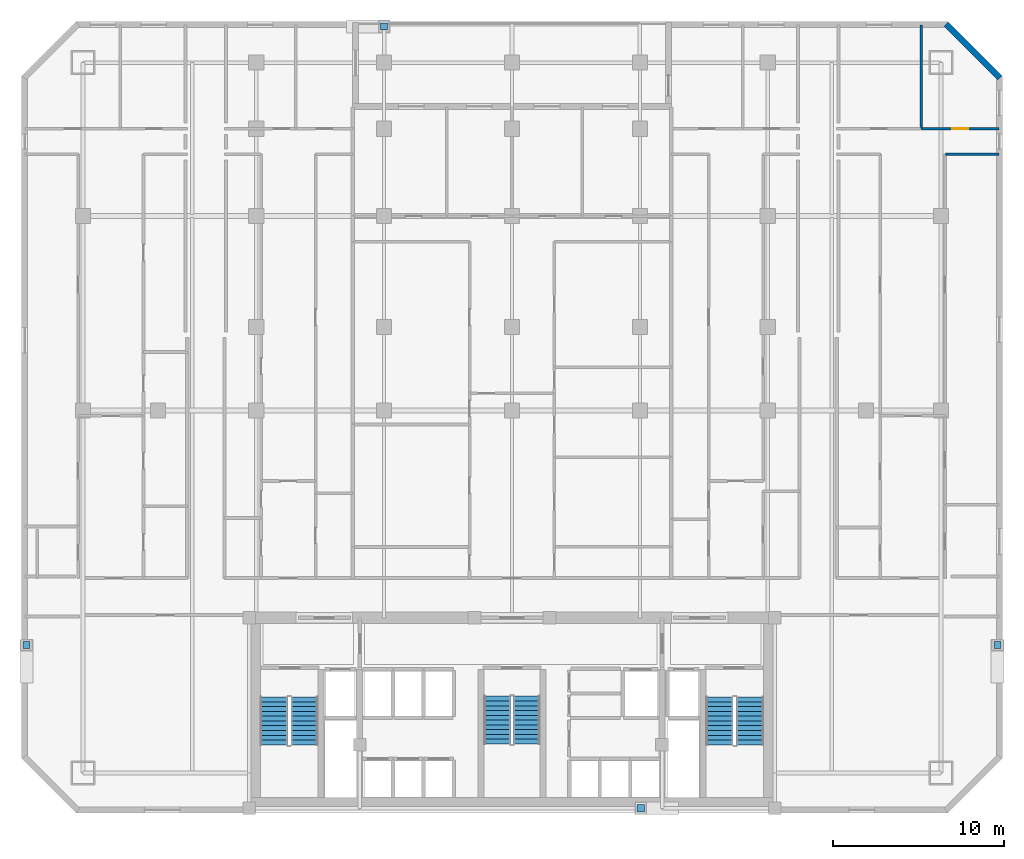
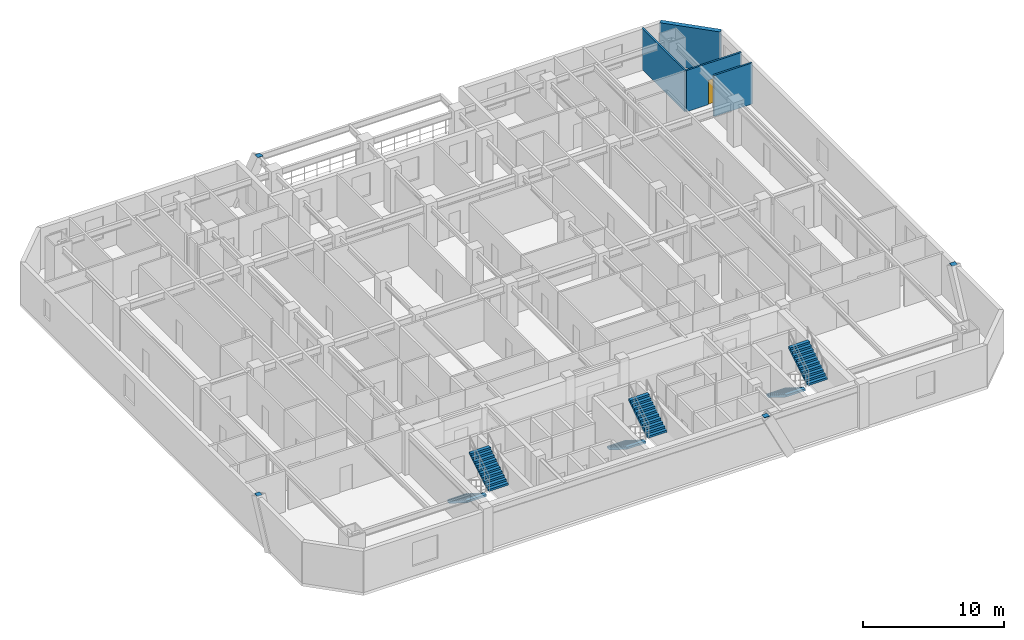
# One storey, part 9 of 10: 6 stair flights, 4 discrete accessories, 4 walls, 1 door, 1 opening, 3 elements without a shape of their own.
"""IFC4 building model written with IfcOpenShell, lengths in metres."""

import ifcopenshell
import ifcopenshell.guid

model = None  # the IFC model being written
_history = None  # IfcOwnerHistory: only IFC2X3 demands one
_inside = {}  # id of a spatial element -> (the spatial element, [elements in it])
_under = {}  # id of a project, library or spatial element -> (it, [spatial elements below it])
_declared = {}  # id of a project -> (the project, [libraries it declares])
_typed = {}  # id of a type object -> (the type object, [elements of that type])
_made_of = {}  # id of a material, layer set ... -> (it, [elements and type objects made of it])


def new_model(schema):
    """Start an empty IFC model of exactly this schema.

    Asked for "IFC4X3", IfcOpenShell would pick the latest addendum, in which some entities
    have other attributes; the version numbers below select the first issue.
    IFC2X3 requires an IfcOwnerHistory on every rooted entity: one is made here for all.
    """
    global model, _history
    if schema == "IFC4X3":
        model = ifcopenshell.file(schema_version=(4, 3, 0, 0))
    else:
        model = ifcopenshell.file(schema=schema)
    _inside.clear()
    _under.clear()
    _declared.clear()
    _typed.clear()
    _made_of.clear()
    _history = None
    if model.schema == "IFC2X3":
        org = make("IfcOrganization", Name="unknown")
        user = make(
            "IfcPersonAndOrganization",
            ThePerson=make("IfcPerson", FamilyName="unknown"),
            TheOrganization=org,
        )
        app = make(
            "IfcApplication",
            ApplicationDeveloper=org,
            Version="unknown",
            ApplicationFullName="unknown",
            ApplicationIdentifier="unknown",
        )
        _history = make(
            "IfcOwnerHistory",
            OwningUser=user,
            OwningApplication=app,
            ChangeAction="ADDED",
            CreationDate=0,
        )
    return model


def make(cls, **values):
    """One entity of the class cls with the attributes given. An attribute that is None is left unset."""
    return model.create_entity(
        cls, **{name: value for name, value in values.items() if value is not None}
    )


def rooted(cls, **values):
    """An entity with a GlobalId (a new one), such as an element, a storey or a relation."""
    return make(cls, GlobalId=ifcopenshell.guid.new(), OwnerHistory=_history, **values)


def si_unit(unit_type, name, prefix=None):
    """IfcSIUnit, for example si_unit("LENGTHUNIT", "METRE", prefix="MILLI")."""
    return make("IfcSIUnit", UnitType=unit_type, Prefix=prefix, Name=name)


def assignment(units):
    """IfcUnitAssignment: the units of a project."""
    return None if units is None else make("IfcUnitAssignment", Units=units)


def point(xyz):
    """IfcCartesianPoint."""
    return None if xyz is None else make("IfcCartesianPoint", Coordinates=xyz)


def direction(xyz):
    """IfcDirection."""
    return None if xyz is None else make("IfcDirection", DirectionRatios=xyz)


def frame(location, z_axis=None, x_axis=None):
    """IfcAxis2Placement3D, a coordinate frame: its origin and axes. An axis left out is left unset."""
    return make(
        "IfcAxis2Placement3D",
        Location=point(location),
        Axis=direction(z_axis),
        RefDirection=direction(x_axis),
    )


def frame_2d(location, x_axis=None):
    """IfcAxis2Placement2D, a coordinate frame in the plane: its origin and x axis."""
    return make(
        "IfcAxis2Placement2D", Location=point(location), RefDirection=direction(x_axis)
    )


def origin():
    """The frame at (0, 0, 0) with its axes left unset."""
    return frame((0.0, 0.0, 0.0))


def origin_2d():
    """The frame at (0, 0) in the plane with its x axis left unset."""
    return frame_2d((0.0, 0.0))


def place(relative_to, where):
    """IfcLocalPlacement: puts the frame where relative to a parent placement (None: the world)."""
    return make(
        "IfcLocalPlacement", PlacementRelTo=relative_to, RelativePlacement=where
    )


def context(
    kind, dimensions, precision=None, world=None, true_north=None, identifier=None
):
    """IfcGeometricRepresentationContext, for example the 3D "Model" context."""
    return make(
        "IfcGeometricRepresentationContext",
        ContextIdentifier=identifier,
        ContextType=kind,
        CoordinateSpaceDimension=dimensions,
        Precision=precision,
        WorldCoordinateSystem=world,
        TrueNorth=true_north,
    )


def subcontext(parent, identifier, kind, view, scale=None):
    """IfcGeometricRepresentationSubContext, for example "Body" below "Model"."""
    return make(
        "IfcGeometricRepresentationSubContext",
        ContextIdentifier=identifier,
        ContextType=kind,
        ParentContext=parent,
        TargetScale=scale,
        TargetView=view,
    )


def project(units=None, contexts=None):
    """IfcProject with its units and contexts."""
    return rooted(
        "IfcProject",
        Name="project",
        RepresentationContexts=contexts,
        UnitsInContext=assignment(units),
    )


def spatial(cls, under=None, at=None, **own):
    """A site, building, storey or space (cls), placed at a placement, below another one or the project."""
    s = rooted(cls, ObjectPlacement=at, **own)
    if under is not None:
        _under.setdefault(under.id(), (under, []))[1].append(s)
    return s


def polyline(points):
    """IfcPolyline through the points."""
    return make("IfcPolyline", Points=[point(p) for p in points])


def profile(cls, at=None, kind="AREA", **sizes):
    """A parametric profile (cls). Its sizes go by their IFC names, for example OverallWidth=200.0."""
    return make(cls, ProfileType=kind, Position=at, **sizes)


def rectangle(**sizes):
    """IfcRectangleProfileDef."""
    return profile("IfcRectangleProfileDef", **sizes)


def outline(outer, holes=None, kind="AREA"):
    """IfcArbitraryClosedProfileDef: a profile drawn as a closed curve; with holes, ...WithVoids."""
    if holes is None:
        return make("IfcArbitraryClosedProfileDef", ProfileType=kind, OuterCurve=outer)
    return make(
        "IfcArbitraryProfileDefWithVoids",
        ProfileType=kind,
        OuterCurve=outer,
        InnerCurves=holes,
    )


def extrude(swept, where, along, depth):
    """IfcExtrudedAreaSolid: the profile swept, set in the frame where, extruded along a direction by depth."""
    return make(
        "IfcExtrudedAreaSolid",
        SweptArea=swept,
        Position=where,
        ExtrudedDirection=direction(along),
        Depth=depth,
    )


def shape(context_of_items, identifier, shape_type, items):
    """IfcShapeRepresentation: the items that make up one representation, for example the "Body"."""
    return make(
        "IfcShapeRepresentation",
        ContextOfItems=context_of_items,
        RepresentationIdentifier=identifier,
        RepresentationType=shape_type,
        Items=items,
    )


def material(Name=None, Category=None):
    """IfcMaterial."""
    return make("IfcMaterial", Name=Name, Category=Category)


def layer(
    of_material, thickness, ventilated=None, Name=None, Category=None, Priority=None
):
    """IfcMaterialLayer: one layer of a wall or slab, of a material (None: an air gap)."""
    return make(
        "IfcMaterialLayer",
        Material=of_material,
        LayerThickness=thickness,
        IsVentilated=ventilated,
        Name=Name,
        Category=Category,
        Priority=Priority,
    )


def layer_set(layers, Name=None):
    """IfcMaterialLayerSet."""
    return make("IfcMaterialLayerSet", MaterialLayers=layers, LayerSetName=Name)


def made_of(thing, what):
    """Note that an element or type object is made of a material, layer set ...; save() writes the relation."""
    if what is not None:
        _made_of.setdefault(what.id(), (what, []))[1].append(thing)
    return thing


def type_object(cls, material=None, **own):
    """A type object (cls), such as IfcWallType, which elements share."""
    return made_of(rooted(cls, **own), material)


def element(
    cls,
    number,
    at=None,
    inside=None,
    cuts=None,
    type_object=None,
    material=None,
    context=None,
    identifier="Body",
    shape_type=None,
    held_by="IfcProductDefinitionShape",
    body=None,
    shapes=None,
    **own,
):
    """One element of the class cls, such as IfcWall. Its Tag is "e" and its number.

    at: its placement. inside: the storey or other place that contains it. cuts: it is an
    opening in that element (IfcRelVoidsElement). A single representation is given by context,
    identifier, shape_type and body (its items); several are given by shapes. held_by: the class
    of the entity that holds the representations. save() writes the other relations.
    """
    e = rooted(cls, Tag="e%d" % number, ObjectPlacement=at, **own)
    if body is not None:
        shapes = [shape(context, identifier, shape_type, body)]
    if shapes is not None:
        e.Representation = make(held_by, Representations=shapes)
    if inside is not None:
        _inside.setdefault(inside.id(), (inside, []))[1].append(e)
    if cuts is not None:
        rooted(
            "IfcRelVoidsElement", RelatingBuildingElement=cuts, RelatedOpeningElement=e
        )
    if type_object is not None:
        _typed.setdefault(type_object.id(), (type_object, []))[1].append(e)
    return made_of(e, material)


def fill(opening, filler):
    """IfcRelFillsElement: the door or window that sits in an opening."""
    return rooted(
        "IfcRelFillsElement",
        RelatingOpeningElement=opening,
        RelatedBuildingElement=filler,
    )


def aggregate(whole, parts):
    """IfcRelAggregates: a whole, such as a stair, and the parts it consists of."""
    return rooted("IfcRelAggregates", RelatingObject=whole, RelatedObjects=parts)


def save(model, path):
    """Write the relations noted so far, then the file.

    IfcRelAggregates (storeys below a building ...), IfcRelContainedInSpatialStructure (elements
    in a storey), IfcRelDefinesByType, IfcRelAssociatesMaterial and IfcRelDeclares: one each for
    every whole, place, type object, material and project.
    """
    for whole, parts in _under.values():
        aggregate(whole, parts)
    for where, things in _inside.values():
        rooted(
            "IfcRelContainedInSpatialStructure",
            RelatedElements=things,
            RelatingStructure=where,
        )
    for kind, things in _typed.values():
        rooted("IfcRelDefinesByType", RelatedObjects=things, RelatingType=kind)
    for what, things in _made_of.values():
        rooted("IfcRelAssociatesMaterial", RelatedObjects=things, RelatingMaterial=what)
    for by, libraries in _declared.values():
        rooted("IfcRelDeclares", RelatingContext=by, RelatedDefinitions=libraries)
    model.write(path)


model = new_model("IFC4")

# Units and contexts
model_context = context("Model", 3, precision=1e-05, world=origin(), true_north=direction((0.0, 1.0)))
body_context = subcontext(model_context, "Body", "Model", "MODEL_VIEW")
ifc_project = project(units=[si_unit("LENGTHUNIT", "METRE"), si_unit("AREAUNIT", "SQUARE_METRE"), si_unit("VOLUMEUNIT", "CUBIC_METRE"), si_unit("PLANEANGLEUNIT", "RADIAN"), si_unit("MASSUNIT", "GRAM", prefix="KILO")], contexts=[model_context])

# Site, building, storey
site_placement = place(None, origin())
site = spatial("IfcSite", under=ifc_project, at=site_placement, CompositionType="ELEMENT")
building_placement = place(site_placement, origin())
building = spatial("IfcBuilding", under=site, at=building_placement, Name="Ventersveld Concourse Tower", CompositionType="ELEMENT")
storey_placement = place(building_placement, frame((0.0, 0.0, 72.14990234375)))
storey = spatial("IfcBuildingStorey", under=building, at=storey_placement, Name="L17", CompositionType="ELEMENT", Elevation=72.14990234375)

# Wall
ifc_material_1 = material(Name="Autoclaved aerated masonry blockwork", Category="masonry")
ifc_layer_1 = layer(ifc_material_1, 0.14990234375)
ifc_layer_set_1 = layer_set([ifc_layer_1], Name="Autoclaved aerated masonry blockwork")
wall_type_1 = type_object("IfcWallType", Name="WL-INT-150", PredefinedType="PARTITIONING", material=ifc_layer_set_1)
wall_1_placement = place(storey_placement, frame((54.154052734375, 38.6201171875, 0.0), z_axis=(0.0, 0.0, 1.0), x_axis=(1.0, 0.0, 0.0)))
element("IfcWall", 1, at=wall_1_placement, inside=storey, type_object=wall_type_1, Name="L17 Interior Partition SP-L17-17NE-LIV-SP-L17-17NE-DENR", PredefinedType="PARTITIONING", context=body_context, shape_type="SweptSolid", body=[
    extrude(rectangle(XDim=3.135986328125, YDim=0.14990234375, at=frame_2d((1.56787109375, 0.0))), origin(), (0.0, 0.0, 1.0), 3.570068359375),
])

# Wall, opening, door
wall_2_placement = place(storey_placement, frame((52.76611328125, 40.1201171875, 0.0), z_axis=(0.0, 0.0, 1.0), x_axis=(1.0, 0.0, 0.0)))
wall_2 = element("IfcWall", 2, at=wall_2_placement, inside=storey, type_object=wall_type_1, Name="L17 Interior Partition SP-L17-17NE-LIV-SP-L17-17NE-BR2", PredefinedType="PARTITIONING", context=body_context, shape_type="SweptSolid", body=[
    extrude(rectangle(XDim=4.52392578125, YDim=0.14990234375, at=frame_2d((2.261962890625, 0.0))), origin(), (0.0, 0.0, 1.0), 3.570068359375),
])
opening_placement = place(wall_2_placement, frame((1.802001953125, 0.0, 0.0)))
opening = element("IfcOpeningElement", 3, at=opening_placement, cuts=wall_2, Name="Opening ID1", PredefinedType="OPENING", context=body_context, shape_type="SweptSolid", body=[
    extrude(rectangle(XDim=0.919921875, YDim=2.10009765625, at=frame_2d((0.4599609375, 1.050048828125))), frame((0.0, 0.0849609375, 0.0), z_axis=(0.0, -1.0, 0.0), x_axis=(1.0, 0.0, 0.0)), (0.0, 0.0, 1.0), 0.169921875),
])
ifc_material_2 = material(Name="Solid-core hardwood veneer timber", Category="wood")
door_type = type_object("IfcDoorType", Name="DR-ROOM-092", OperationType="NOTDEFINED", PredefinedType="DOOR", material=ifc_material_2)
door_placement = place(opening_placement, origin())
door = element("IfcDoor", 4, at=door_placement, inside=storey, type_object=door_type, Name="L17 Interior Door SP-L17-17NE-LIV to SP-L17-17NE-BR2 (D-L17-0803)", OperationType="SINGLE_SWING_LEFT", OverallHeight=2.10009765625, OverallWidth=0.919921875, PredefinedType="DOOR", context=body_context, shape_type="SweptSolid", body=[
    extrude(rectangle(XDim=0.919921875, YDim=2.10009765625, at=frame_2d((0.4599609375, 1.050048828125))), frame((0.0, 0.02490234375, 0.0), z_axis=(0.0, -1.0, 0.0), x_axis=(1.0, 0.0, 0.0)), (0.0, 0.0, 1.0), 0.050048828125),
])
fill(opening, door)

# Walls
wall_3_placement = place(storey_placement, frame((52.731201171875, 40.114990234375, 0.0), z_axis=(0.0, 0.0, 1.0), x_axis=(0.0, 1.0, 0.0)))
element("IfcWall", 5, at=wall_3_placement, inside=storey, type_object=wall_type_1, Name="L17 Interior Partition SP-L17-17NE-BR1-SP-L17-17NE-BR2", PredefinedType="PARTITIONING", context=body_context, shape_type="SweptSolid", body=[
    extrude(rectangle(XDim=6.074951171875, YDim=0.14990234375, at=frame_2d((3.03759765625, 0.0))), origin(), (0.0, 0.0, 1.0), 3.570068359375),
])
ifc_material_3 = material(Name="Precast concrete C45/55", Category="concrete")
ifc_layer_2 = layer(ifc_material_3, 0.35009765625)
ifc_layer_set_2 = layer_set([ifc_layer_2], Name="Precast concrete C45/55")
wall_type_2 = type_object("IfcWallType", Name="WL-PREC-350", PredefinedType="SOLIDWALL", material=ifc_layer_set_2)
wall_4_placement = place(storey_placement, frame((57.347900390625, 43.1044921875, 0.0), z_axis=(0.0, 0.0, 1.0), x_axis=(-0.707079321262, 0.707134240044, 0.0)))
element("IfcWall", 6, at=wall_4_placement, inside=storey, type_object=wall_type_2, Name="L17 Highveld Precast Facade Wall E04", PredefinedType="SOLIDWALL", context=body_context, shape_type="SweptSolid", body=[
    extrude(rectangle(XDim=4.445556640625, YDim=0.35009765625, at=frame_2d((2.22265625, 0.0))), origin(), (0.0, 0.0, 1.0), 3.570068359375),
])

# Stair, stair flights
ifc_material_4 = material(Name="Concrete C50/60", Category="concrete")
stair_type_1 = type_object("IfcStairType", Name="ST-DOG-155", PredefinedType="HALF_TURN_STAIR", material=ifc_material_4)
stair_1_placement = place(storey_placement, origin())
stair_1 = element("IfcStair", 7, at=stair_1_placement, inside=storey, type_object=stair_type_1, Name="L17 Protected Central Core Escape Stair ST-03", PredefinedType="HALF_TURN_STAIR")
stair_flight_type_1 = type_object("IfcStairFlightType", Name="STF-RC-155", PredefinedType="STRAIGHT", material=ifc_material_4)
stair_flight_1_placement = place(storey_placement, frame((27.875, 6.85009765625, 0.0), z_axis=(0.0, 0.0, 1.0), x_axis=(0.0, -1.0, 0.0)))
stair_flight_1 = element("IfcStairFlight", 8, at=stair_flight_1_placement, type_object=stair_flight_type_1, Name="ST-03 flight 1", NumberOfRisers=11, NumberOfTreads=10, PredefinedType="STRAIGHT", RiserHeight=0.175, TreadLength=0.28, context=body_context, shape_type="SweptSolid", body=[
    extrude(outline(polyline([(0.0, 0.0), (0.0, 0.175048828125), (0.280029296875, 0.175048828125), (0.280029296875, 0.35009765625), (0.56005859375, 0.35009765625), (0.56005859375, 0.52490234375), (0.840087890625, 0.52490234375), (0.840087890625, 0.699951171875), (1.1201171875, 0.699951171875), (1.1201171875, 0.875), (1.39990234375, 0.875), (1.39990234375, 1.050048828125), (1.679931640625, 1.050048828125), (1.679931640625, 1.22509765625), (1.9599609375, 1.22509765625), (1.9599609375, 1.39990234375), (2.239990234375, 1.39990234375), (2.239990234375, 1.574951171875), (2.52001953125, 1.574951171875), (2.52001953125, 1.75), (2.800048828125, 1.75), (2.800048828125, 1.925048828125), (2.800048828125, 1.5732421875), (0.28271484375, 0.0), (0.0, 0.0)])), frame((0.0, 0.77490234375, 0.0), z_axis=(0.0, -1.0, 0.0), x_axis=(1.0, 0.0, 0.0)), (0.0, 0.0, 1.0), 1.550048828125),
])
stair_flight_2_placement = place(storey_placement, frame((29.625, 4.050048828125, 1.925048828125), z_axis=(0.0, 0.0, 1.0), x_axis=(0.0, 1.0, 0.0)))
stair_flight_2 = element("IfcStairFlight", 9, at=stair_flight_2_placement, type_object=stair_flight_type_1, Name="ST-03 flight 2", NumberOfRisers=11, NumberOfTreads=10, PredefinedType="STRAIGHT", RiserHeight=0.175, TreadLength=0.28, context=body_context, shape_type="SweptSolid", body=[
    extrude(outline(polyline([(0.0, 0.0), (0.0, 0.175048828125), (0.280029296875, 0.175048828125), (0.280029296875, 0.35009765625), (0.56005859375, 0.35009765625), (0.56005859375, 0.52490234375), (0.840087890625, 0.52490234375), (0.840087890625, 0.699951171875), (1.1201171875, 0.699951171875), (1.1201171875, 0.875), (1.39990234375, 0.875), (1.39990234375, 1.050048828125), (1.679931640625, 1.050048828125), (1.679931640625, 1.22509765625), (1.9599609375, 1.22509765625), (1.9599609375, 1.39990234375), (2.239990234375, 1.39990234375), (2.239990234375, 1.574951171875), (2.52001953125, 1.574951171875), (2.52001953125, 1.75), (2.800048828125, 1.75), (2.800048828125, 1.925048828125), (2.800048828125, 1.5732421875), (0.28271484375, 0.0), (0.0, 0.0)])), frame((0.0, 0.77490234375, 0.0), z_axis=(0.0, -1.0, 0.0), x_axis=(1.0, 0.0, 0.0)), (0.0, 0.0, 1.0), 1.550048828125),
])
aggregate(stair_1, [stair_flight_1, stair_flight_2])

stair_type_2 = type_object("IfcStairType", Name="ST-DOG-160", PredefinedType="HALF_TURN_STAIR", material=ifc_material_4)
stair_2_placement = place(storey_placement, origin())
stair_2 = element("IfcStair", 10, at=stair_2_placement, inside=storey, type_object=stair_type_2, Name="L17 Protected Tower Escape Stair ST-01", PredefinedType="HALF_TURN_STAIR")
stair_flight_type_2 = type_object("IfcStairFlightType", Name="STF-RC-160", PredefinedType="STRAIGHT", material=ifc_material_4)
stair_flight_3_placement = place(storey_placement, frame((14.780029296875, 6.800048828125, 0.0), z_axis=(0.0, 0.0, 1.0), x_axis=(0.0, -1.0, 0.0)))
stair_flight_3 = element("IfcStairFlight", 11, at=stair_flight_3_placement, type_object=stair_flight_type_2, Name="ST-01 flight 1", NumberOfRisers=11, NumberOfTreads=10, PredefinedType="STRAIGHT", RiserHeight=0.175, TreadLength=0.28, context=body_context, shape_type="SweptSolid", body=[
    extrude(outline(polyline([(0.0, 0.0), (0.0, 0.175048828125), (0.280029296875, 0.175048828125), (0.280029296875, 0.35009765625), (0.56005859375, 0.35009765625), (0.56005859375, 0.52490234375), (0.840087890625, 0.52490234375), (0.840087890625, 0.699951171875), (1.1201171875, 0.699951171875), (1.1201171875, 0.875), (1.39990234375, 0.875), (1.39990234375, 1.050048828125), (1.679931640625, 1.050048828125), (1.679931640625, 1.22509765625), (1.9599609375, 1.22509765625), (1.9599609375, 1.39990234375), (2.239990234375, 1.39990234375), (2.239990234375, 1.574951171875), (2.52001953125, 1.574951171875), (2.52001953125, 1.75), (2.800048828125, 1.75), (2.800048828125, 1.925048828125), (2.800048828125, 1.5732421875), (0.28271484375, 0.0), (0.0, 0.0)])), frame((0.0, 0.800048828125, 0.0), z_axis=(0.0, -1.0, 0.0), x_axis=(1.0, 0.0, 0.0)), (0.0, 0.0, 1.0), 1.60009765625),
])
stair_flight_4_placement = place(storey_placement, frame((16.580078125, 4.0, 1.925048828125), z_axis=(0.0, 0.0, 1.0), x_axis=(0.0, 1.0, 0.0)))
stair_flight_4 = element("IfcStairFlight", 12, at=stair_flight_4_placement, type_object=stair_flight_type_2, Name="ST-01 flight 2", NumberOfRisers=11, NumberOfTreads=10, PredefinedType="STRAIGHT", RiserHeight=0.175, TreadLength=0.28, context=body_context, shape_type="SweptSolid", body=[
    extrude(outline(polyline([(0.0, 0.0), (0.0, 0.175048828125), (0.280029296875, 0.175048828125), (0.280029296875, 0.35009765625), (0.56005859375, 0.35009765625), (0.56005859375, 0.52490234375), (0.840087890625, 0.52490234375), (0.840087890625, 0.699951171875), (1.1201171875, 0.699951171875), (1.1201171875, 0.875), (1.39990234375, 0.875), (1.39990234375, 1.050048828125), (1.679931640625, 1.050048828125), (1.679931640625, 1.22509765625), (1.9599609375, 1.22509765625), (1.9599609375, 1.39990234375), (2.239990234375, 1.39990234375), (2.239990234375, 1.574951171875), (2.52001953125, 1.574951171875), (2.52001953125, 1.75), (2.800048828125, 1.75), (2.800048828125, 1.925048828125), (2.800048828125, 1.5732421875), (0.28271484375, 0.0), (0.0, 0.0)])), frame((0.0, 0.800048828125, 0.0), z_axis=(0.0, -1.0, 0.0), x_axis=(1.0, 0.0, 0.0)), (0.0, 0.0, 1.0), 1.60009765625),
])
aggregate(stair_2, [stair_flight_3, stair_flight_4])

stair_3_placement = place(storey_placement, origin())
stair_3 = element("IfcStair", 13, at=stair_3_placement, inside=storey, type_object=stair_type_2, Name="L17 Protected Tower Escape Stair ST-02", PredefinedType="HALF_TURN_STAIR")
stair_flight_5_placement = place(storey_placement, frame((40.919921875, 6.800048828125, 0.0), z_axis=(0.0, 0.0, 1.0), x_axis=(0.0, -1.0, 0.0)))
stair_flight_5 = element("IfcStairFlight", 14, at=stair_flight_5_placement, type_object=stair_flight_type_2, Name="ST-02 flight 1", NumberOfRisers=11, NumberOfTreads=10, PredefinedType="STRAIGHT", RiserHeight=0.175, TreadLength=0.28, context=body_context, shape_type="SweptSolid", body=[
    extrude(outline(polyline([(0.0, 0.0), (0.0, 0.175048828125), (0.280029296875, 0.175048828125), (0.280029296875, 0.35009765625), (0.56005859375, 0.35009765625), (0.56005859375, 0.52490234375), (0.840087890625, 0.52490234375), (0.840087890625, 0.699951171875), (1.1201171875, 0.699951171875), (1.1201171875, 0.875), (1.39990234375, 0.875), (1.39990234375, 1.050048828125), (1.679931640625, 1.050048828125), (1.679931640625, 1.22509765625), (1.9599609375, 1.22509765625), (1.9599609375, 1.39990234375), (2.239990234375, 1.39990234375), (2.239990234375, 1.574951171875), (2.52001953125, 1.574951171875), (2.52001953125, 1.75), (2.800048828125, 1.75), (2.800048828125, 1.925048828125), (2.800048828125, 1.5732421875), (0.28271484375, 0.0), (0.0, 0.0)])), frame((0.0, 0.800048828125, 0.0), z_axis=(0.0, -1.0, 0.0), x_axis=(1.0, 0.0, 0.0)), (0.0, 0.0, 1.0), 1.60009765625),
])
stair_flight_6_placement = place(storey_placement, frame((42.719970703125, 4.0, 1.925048828125), z_axis=(0.0, 0.0, 1.0), x_axis=(0.0, 1.0, 0.0)))
stair_flight_6 = element("IfcStairFlight", 15, at=stair_flight_6_placement, type_object=stair_flight_type_2, Name="ST-02 flight 2", NumberOfRisers=11, NumberOfTreads=10, PredefinedType="STRAIGHT", RiserHeight=0.175, TreadLength=0.28, context=body_context, shape_type="SweptSolid", body=[
    extrude(outline(polyline([(0.0, 0.0), (0.0, 0.175048828125), (0.280029296875, 0.175048828125), (0.280029296875, 0.35009765625), (0.56005859375, 0.35009765625), (0.56005859375, 0.52490234375), (0.840087890625, 0.52490234375), (0.840087890625, 0.699951171875), (1.1201171875, 0.699951171875), (1.1201171875, 0.875), (1.39990234375, 0.875), (1.39990234375, 1.050048828125), (1.679931640625, 1.050048828125), (1.679931640625, 1.22509765625), (1.9599609375, 1.22509765625), (1.9599609375, 1.39990234375), (2.239990234375, 1.39990234375), (2.239990234375, 1.574951171875), (2.52001953125, 1.574951171875), (2.52001953125, 1.75), (2.800048828125, 1.75), (2.800048828125, 1.925048828125), (2.800048828125, 1.5732421875), (0.28271484375, 0.0), (0.0, 0.0)])), frame((0.0, 0.800048828125, 0.0), z_axis=(0.0, -1.0, 0.0), x_axis=(1.0, 0.0, 0.0)), (0.0, 0.0, 1.0), 1.60009765625),
])
aggregate(stair_3, [stair_flight_5, stair_flight_6])

# Discrete accessories
ifc_material_5 = material(Name="Structural steel S355J2", Category="steel")
discrete_accessory_type = type_object("IfcDiscreteAccessoryType", Name="CONN-BRACE-ECP1", PredefinedType="BRACKET", material=ifc_material_5)
for number, where, z_axis, x_axis, name in (
    (16, (21.25, 46.1201171875, 3.550048828125), (0.0, 0.0, 1.0), (1.0, 0.0, 0.0), "L17 Steel Brace End Connection Plate ECP1-0236"),
    (17, (36.300048828125, 0.280029296875, 3.550048828125), (0.0, 0.0, 1.0), (1.0, 0.0, 0.0), "L17 Steel Brace End Connection Plate ECP1-0240"),
    (18, (0.280029296875, 9.85009765625, 3.550048828125), (0.0, 0.0, 1.0), (1.0, 0.0, 0.0), "L17 Steel Brace End Connection Plate ECP1-0244"),
    (19, (57.219970703125, 9.85009765625, 3.550048828125), (0.0, 0.0, 1.0), (1.0, 0.0, 0.0), "L17 Steel Brace End Connection Plate ECP1-0248"),
):
    element("IfcDiscreteAccessory", number, at=place(storey_placement, frame(where, z_axis=z_axis, x_axis=x_axis)), inside=storey, type_object=discrete_accessory_type, Name=name, PredefinedType="BRACKET", context=body_context, shape_type="SweptSolid", body=[
        extrude(rectangle(XDim=0.419921875, YDim=0.419921875, at=origin_2d()), origin(), (0.0, 0.0, 1.0), 0.0400390625),
    ])

save(model, "model.ifc")
